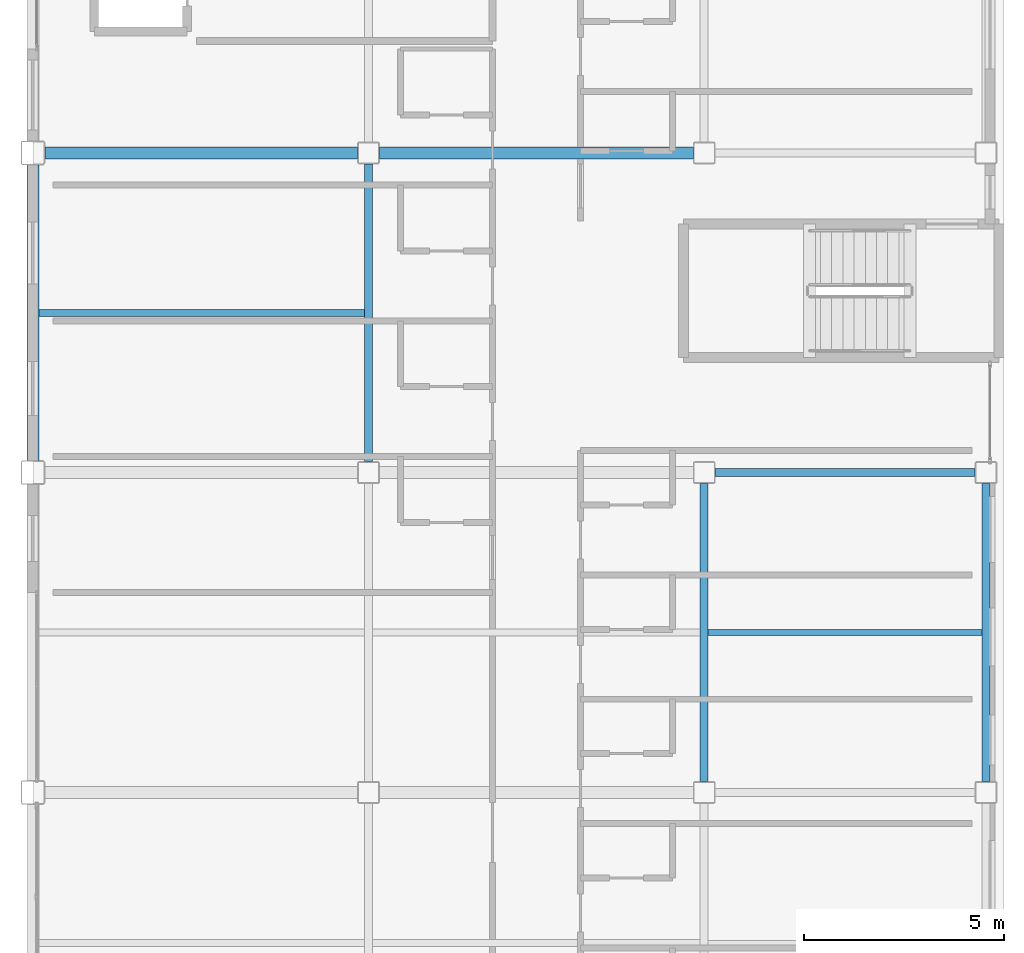
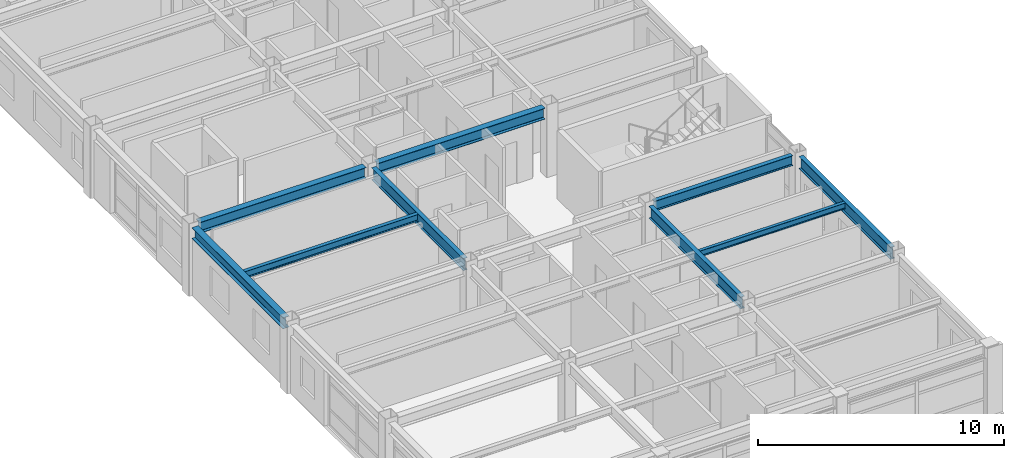
# One storey, part 8 of 36: 9 beams.
"""IFC4 building model written with IfcOpenShell, lengths in metres."""

from ifc_helpers import new_model, si_unit, direction, frame, origin, origin_2d, place, context, subcontext, project, spatial, i_section, extrude, material, material_profile, profile_set, type_object, element, save


model = new_model("IFC4")

# Units and contexts
model_context = context("Model", 3, precision=1e-05, world=origin(), true_north=direction((0.0, 1.0)))
body_context = subcontext(model_context, "Body", "Model", "MODEL_VIEW")
ifc_project = project(units=[si_unit("LENGTHUNIT", "METRE"), si_unit("AREAUNIT", "SQUARE_METRE"), si_unit("VOLUMEUNIT", "CUBIC_METRE"), si_unit("PLANEANGLEUNIT", "RADIAN"), si_unit("MASSUNIT", "GRAM", prefix="KILO")], contexts=[model_context])

# Site, building, storey
site_placement = place(None, origin())
site = spatial("IfcSite", under=ifc_project, at=site_placement, CompositionType="ELEMENT")
building_placement = place(site_placement, origin())
building = spatial("IfcBuilding", under=site, at=building_placement, Name="Kazehara Bluff Congress Hotel", CompositionType="ELEMENT")
storey_placement = place(building_placement, frame((0.0, 0.0, 28.199951171875)))
storey = spatial("IfcBuildingStorey", under=building, at=storey_placement, Name="L06", CompositionType="ELEMENT", Elevation=28.199951171875)

# Beams
ifc_material_1 = material(Name="Steel SN490B", Category="steel")
ifc_material_profile_1 = material_profile(ifc_material_1, i_section(OverallWidth=0.199951171875, OverallDepth=0.5, WebThickness=0.010009765625, FlangeThickness=0.01611328125, FilletRadius=0.012939453125, at=origin_2d()))
ifc_profile_set_1 = profile_set([ifc_material_profile_1], Name="Steel SN490B")
beam_type_1 = type_object("IfcBeamType", Name="TP-G-01", PredefinedType="BEAM", material=ifc_profile_set_1)
beam_1_placement = place(storey_placement, frame((160.77490234375, 16.0, 3.130126953125), z_axis=(1.0, 0.0, 0.0), x_axis=(0.0, 1.0, 0.0)))
element("IfcBeam", 1, at=beam_1_placement, inside=storey, type_object=beam_type_1, Name="L06 girder G-01 52", PredefinedType="BEAM", context=body_context, shape_type="SweptSolid", body=[
    extrude(i_section(OverallWidth=0.199951171875, OverallDepth=0.5, WebThickness=0.010009765625, FlangeThickness=0.01611328125, FilletRadius=0.012939453125, at=origin_2d()), origin(), (0.0, 0.0, 1.0), 6.5),
])
ifc_material_2 = material(Name="Steel SN490B", Category="steel")
ifc_material_profile_2 = material_profile(ifc_material_2, i_section(OverallWidth=0.199951171875, OverallDepth=0.60009765625, WebThickness=0.010986328125, FlangeThickness=0.01708984375, FilletRadius=0.012939453125, at=origin_2d()))
ifc_profile_set_2 = profile_set([ifc_material_profile_2], Name="Steel SN490B")
beam_type_2 = type_object("IfcBeamType", Name="TP-G-02", PredefinedType="BEAM", material=ifc_profile_set_2)
for number, where, z_axis, x_axis, name in (
    (2, (152.10009765625, 16.27490234375, 3.080078125), (0.0, 1.0, 0.0), (-1.0, 0.0, 0.0), "L06 girder G-02 15"),
    (3, (160.5, 8.27490234375, 3.080078125), (0.0, 1.0, 0.0), (-1.0, 0.0, 0.0), "L06 girder G-02 25"),
    (4, (167.550048828125, 8.27490234375, 3.080078125), (0.0, 1.0, 0.0), (-1.0, 0.0, 0.0), "L06 girder G-02 35"),
):
    element("IfcBeam", number, at=place(storey_placement, frame(where, z_axis=z_axis, x_axis=x_axis)), inside=storey, type_object=beam_type_2, Name=name, PredefinedType="BEAM", context=body_context, shape_type="SweptSolid", body=[
        extrude(i_section(OverallWidth=0.199951171875, OverallDepth=0.60009765625, WebThickness=0.010986328125, FlangeThickness=0.01708984375, FilletRadius=0.012939453125, at=origin_2d()), origin(), (0.0, 0.0, 1.0), 7.4501953125),
    ])
ifc_material_3 = material(Name="Steel SN490B", Category="steel")
ifc_material_profile_3 = material_profile(ifc_material_3, i_section(OverallWidth=0.300048828125, OverallDepth=0.550048828125, WebThickness=0.010986328125, FlangeThickness=0.01806640625, FilletRadius=0.012939453125, at=origin_2d()))
ifc_profile_set_3 = profile_set([ifc_material_profile_3], Name="Steel SN490B")
beam_type_3 = type_object("IfcBeamType", Name="TP-G-12", PredefinedType="BEAM", material=ifc_profile_set_3)
beam_2_placement = place(storey_placement, frame((144.0, 24.0, 3.10498046875), z_axis=(1.0, 0.0, 0.0), x_axis=(0.0, 1.0, 0.0)))
element("IfcBeam", 5, at=beam_2_placement, inside=storey, type_object=beam_type_3, Name="L06 girder G-12 53", PredefinedType="BEAM", context=body_context, shape_type="SweptSolid", body=[
    extrude(i_section(OverallWidth=0.300048828125, OverallDepth=0.550048828125, WebThickness=0.010986328125, FlangeThickness=0.01806640625, FilletRadius=0.012939453125, at=origin_2d()), origin(), (0.0, 0.0, 1.0), 7.824951171875),
])
beam_3_placement = place(storey_placement, frame((152.375, 24.0, 3.10498046875), z_axis=(1.0, 0.0, 0.0), x_axis=(0.0, 1.0, 0.0)))
element("IfcBeam", 6, at=beam_3_placement, inside=storey, type_object=beam_type_3, Name="L06 girder G-12 54", PredefinedType="BEAM", context=body_context, shape_type="SweptSolid", body=[
    extrude(i_section(OverallWidth=0.300048828125, OverallDepth=0.550048828125, WebThickness=0.010986328125, FlangeThickness=0.01806640625, FilletRadius=0.012939453125, at=origin_2d()), origin(), (0.0, 0.0, 1.0), 7.85009765625),
])
ifc_material_4 = material(Name="Steel SN400B", Category="steel")
ifc_material_profile_4 = material_profile(ifc_material_4, i_section(OverallWidth=0.14990234375, OverallDepth=0.300048828125, WebThickness=0.006591796875, FlangeThickness=0.009033203125, FilletRadius=0.012939453125, at=origin_2d()))
ifc_profile_set_4 = profile_set([ifc_material_profile_4], Name="Steel SN400B")
beam_type_4 = type_object("IfcBeamType", Name="TP-J-01", PredefinedType="JOIST", material=ifc_profile_set_4)
beam_4_placement = place(storey_placement, frame((160.60009765625, 12.0, 3.22998046875), z_axis=(1.0, 0.0, 0.0), x_axis=(0.0, 1.0, 0.0)))
element("IfcBeam", 7, at=beam_4_placement, inside=storey, type_object=beam_type_4, Name="L06 secondary joist J-01 18", PredefinedType="JOIST", context=body_context, shape_type="SweptSolid", body=[
    extrude(i_section(OverallWidth=0.14990234375, OverallDepth=0.300048828125, WebThickness=0.006591796875, FlangeThickness=0.009033203125, FilletRadius=0.012939453125, at=origin_2d()), origin(), (0.0, 0.0, 1.0), 6.849853515625),
])
ifc_material_5 = material(Name="Steel SN400B", Category="steel")
ifc_material_profile_5 = material_profile(ifc_material_5, i_section(OverallWidth=0.175048828125, OverallDepth=0.35009765625, WebThickness=0.007080078125, FlangeThickness=0.010986328125, FilletRadius=0.012939453125, at=origin_2d()))
ifc_profile_set_5 = profile_set([ifc_material_profile_5], Name="Steel SN400B")
beam_type_5 = type_object("IfcBeamType", Name="TP-J-02", PredefinedType="JOIST", material=ifc_profile_set_5)
beam_5_placement = place(storey_placement, frame((143.85009765625, 20.0, 3.205078125), z_axis=(1.0, 0.0, 0.0), x_axis=(0.0, 1.0, 0.0)))
element("IfcBeam", 8, at=beam_5_placement, inside=storey, type_object=beam_type_5, Name="L06 secondary joist J-02 3", PredefinedType="JOIST", context=body_context, shape_type="SweptSolid", body=[
    extrude(i_section(OverallWidth=0.175048828125, OverallDepth=0.35009765625, WebThickness=0.007080078125, FlangeThickness=0.010986328125, FilletRadius=0.012939453125, at=origin_2d()), origin(), (0.0, 0.0, 1.0), 8.14990234375),
])
ifc_material_6 = material(Name="Steel SN490B", Category="steel")
ifc_material_profile_6 = material_profile(ifc_material_6, i_section(OverallWidth=0.300048828125, OverallDepth=0.550048828125, WebThickness=0.010986328125, FlangeThickness=0.01806640625, FilletRadius=0.012939453125, at=origin_2d()))
ifc_profile_set_6 = profile_set([ifc_material_profile_6], Name="Steel SN490B")
beam_type_6 = type_object("IfcBeamType", Name="TP-SP-01", PredefinedType="SPANDREL", material=ifc_profile_set_6)
beam_6_placement = place(storey_placement, frame((143.699951171875, 16.300048828125, 3.10498046875), z_axis=(0.0, 1.0, 0.0), x_axis=(-1.0, 0.0, 0.0)))
element("IfcBeam", 9, at=beam_6_placement, inside=storey, type_object=beam_type_6, Name="L06 girder SP-01 3", PredefinedType="SPANDREL", context=body_context, shape_type="SweptSolid", body=[
    extrude(i_section(OverallWidth=0.300048828125, OverallDepth=0.550048828125, WebThickness=0.010986328125, FlangeThickness=0.01806640625, FilletRadius=0.012939453125, at=origin_2d()), origin(), (0.0, 0.0, 1.0), 7.39990234375),
])

save(model, "model.ifc")
